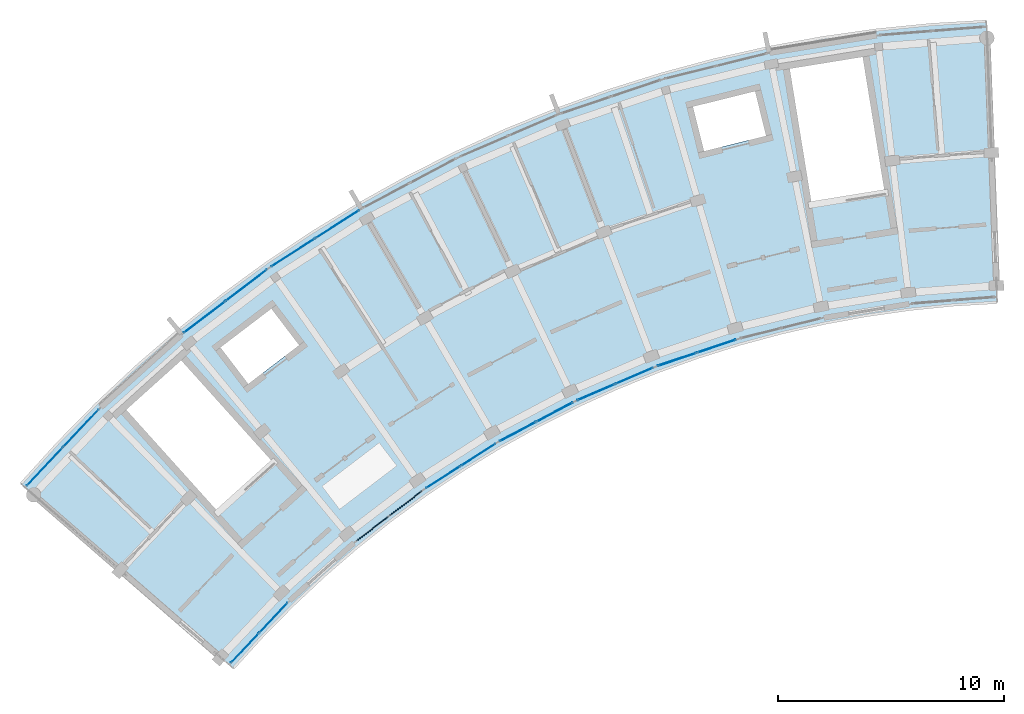
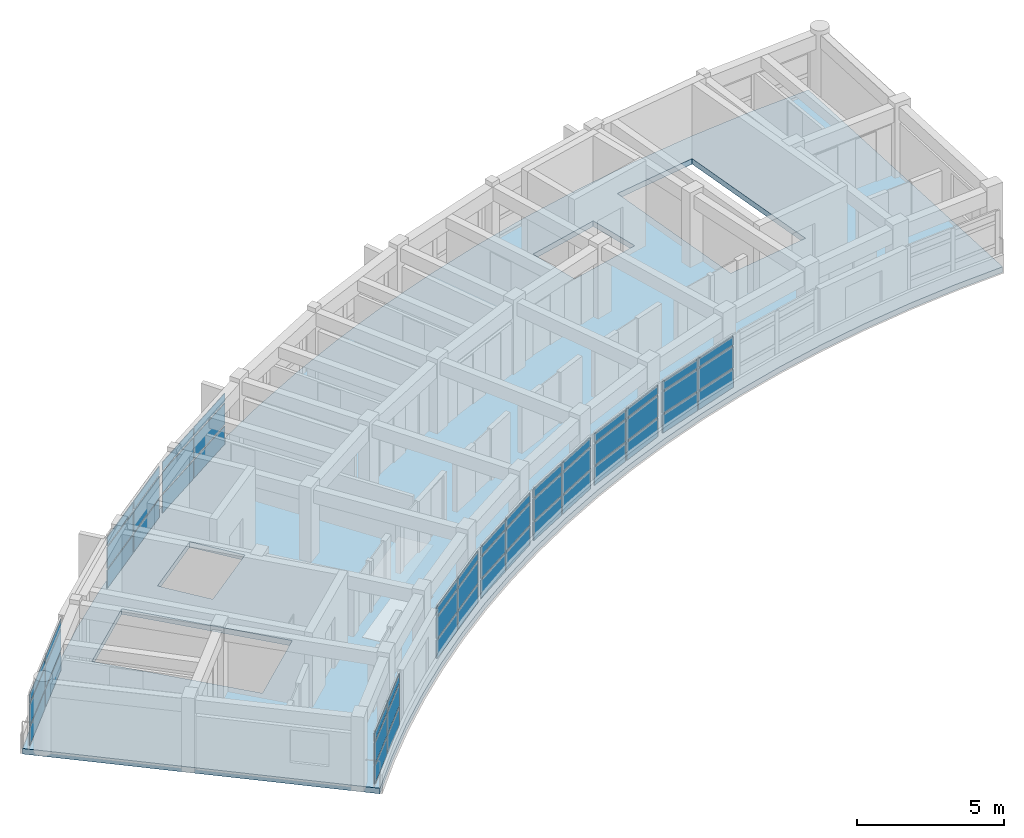
# One storey, part 6 of 11: 54 plates, 1 slab, 9 elements without a shape of their own.
"""IFC4 building model written with IfcOpenShell, lengths in metres."""

from ifc_helpers import new_model, si_unit, direction, frame, origin, origin_2d, place, context, subcontext, project, spatial, polyline, rectangle, outline, extrude, material, layer, layer_set, type_object, element, aggregate, save


model = new_model("IFC4")

# Units and contexts
model_context = context("Model", 3, precision=1e-05, world=origin(), true_north=direction((0.0, 1.0)))
body_context = subcontext(model_context, "Body", "Model", "MODEL_VIEW")
ifc_project = project(units=[si_unit("LENGTHUNIT", "METRE"), si_unit("AREAUNIT", "SQUARE_METRE"), si_unit("VOLUMEUNIT", "CUBIC_METRE"), si_unit("PLANEANGLEUNIT", "RADIAN"), si_unit("MASSUNIT", "GRAM", prefix="KILO")], contexts=[model_context])

# Site, building, storey
site_placement = place(None, origin())
site = spatial("IfcSite", under=ifc_project, at=site_placement, CompositionType="ELEMENT")
building_placement = place(site_placement, origin())
building = spatial("IfcBuilding", under=site, at=building_placement, Name="Zimvara Arc Housing Community", CompositionType="ELEMENT")
storey_placement = place(building_placement, frame((0.0, 0.0, 42.199951171875)))
storey = spatial("IfcBuildingStorey", under=building, at=storey_placement, Name="L13", CompositionType="ELEMENT", Elevation=42.199951171875)

# Curtain wall, plates
ifc_material_1 = material(Name="Anodised Aluminium AW-6063", Category="aluminium")
curtain_wall_type_1 = type_object("IfcCurtainWallType", Name="CW-SYS-04", PredefinedType="USERDEFINED", material=ifc_material_1)
curtain_wall_1_placement = place(storey_placement, origin())
curtain_wall_1 = element("IfcCurtainWall", 1, at=curtain_wall_1_placement, inside=storey, type_object=curtain_wall_type_1, Name="cw:blkA:L13:in:b2", ObjectType="CURTAIN WALL", PredefinedType="USERDEFINED")
ifc_material_2 = material(Name="Pale-Gold Anodised Aluminium Spandrel Panel", Category="aluminium")
ifc_layer_1 = layer(ifc_material_2, 0.035888671875)
ifc_layer_set_1 = layer_set([ifc_layer_1], Name="Pale-Gold Anodised Aluminium Spandrel Panel")
plate_type_1 = type_object("IfcPlateType", Name="CWP-GLD-36", PredefinedType="CURTAIN_PANEL", material=ifc_layer_set_1)
plate_1_placement = place(storey_placement, frame((15.5546875, 81.63134765625, 0.065185546875), z_axis=(0.0, 0.0, 1.0), x_axis=(0.795473930895, 0.605987809503, 0.0)))
plate_1 = element("IfcPlate", 2, at=plate_1_placement, type_object=plate_type_1, Name="CW04 panel 1.1", PredefinedType="CURTAIN_PANEL", context=body_context, shape_type="SweptSolid", body=[
    extrude(rectangle(XDim=1.778564453125, YDim=0.035888671875, at=origin_2d()), origin(), (0.0, 0.0, 1.0), 0.75244140625),
])
plate_2_placement = place(storey_placement, frame((15.5546875, 81.63134765625, 0.88232421875), z_axis=(0.0, 0.0, 1.0), x_axis=(0.795473930895, 0.605987809503, 0.0)))
plate_2 = element("IfcPlate", 3, at=plate_2_placement, type_object=plate_type_1, Name="CW04 panel 1.2", PredefinedType="CURTAIN_PANEL", context=body_context, shape_type="SweptSolid", body=[
    extrude(rectangle(XDim=1.778564453125, YDim=0.035888671875, at=origin_2d()), origin(), (0.0, 0.0, 1.0), 0.885009765625),
])
plate_3_placement = place(storey_placement, frame((15.5546875, 81.63134765625, 1.83251953125), z_axis=(0.0, 0.0, 1.0), x_axis=(0.795473930895, 0.605987809503, 0.0)))
plate_3 = element("IfcPlate", 4, at=plate_3_placement, type_object=plate_type_1, Name="CW04 panel 1.3", PredefinedType="CURTAIN_PANEL", context=body_context, shape_type="SweptSolid", body=[
    extrude(rectangle(XDim=1.778564453125, YDim=0.035888671875, at=origin_2d()), origin(), (0.0, 0.0, 1.0), 0.3525390625),
])
plate_4_placement = place(storey_placement, frame((17.021240234375, 82.74853515625, 0.065185546875), z_axis=(0.0, 0.0, 1.0), x_axis=(0.795473930895, 0.605987809503, 0.0)))
plate_4 = element("IfcPlate", 5, at=plate_4_placement, type_object=plate_type_1, Name="CW04 panel 2.1", PredefinedType="CURTAIN_PANEL", context=body_context, shape_type="SweptSolid", body=[
    extrude(rectangle(XDim=1.778564453125, YDim=0.035888671875, at=origin_2d()), origin(), (0.0, 0.0, 1.0), 0.75244140625),
])
plate_5_placement = place(storey_placement, frame((17.021240234375, 82.74853515625, 0.88232421875), z_axis=(0.0, 0.0, 1.0), x_axis=(0.795473930895, 0.605987809503, 0.0)))
plate_5 = element("IfcPlate", 6, at=plate_5_placement, type_object=plate_type_1, Name="CW04 panel 2.2", PredefinedType="CURTAIN_PANEL", context=body_context, shape_type="SweptSolid", body=[
    extrude(rectangle(XDim=1.778564453125, YDim=0.035888671875, at=origin_2d()), origin(), (0.0, 0.0, 1.0), 0.885009765625),
])
plate_6_placement = place(storey_placement, frame((17.021240234375, 82.74853515625, 1.83251953125), z_axis=(0.0, 0.0, 1.0), x_axis=(0.795473930895, 0.605987809503, 0.0)))
plate_6 = element("IfcPlate", 7, at=plate_6_placement, type_object=plate_type_1, Name="CW04 panel 2.3", PredefinedType="CURTAIN_PANEL", context=body_context, shape_type="SweptSolid", body=[
    extrude(rectangle(XDim=1.778564453125, YDim=0.035888671875, at=origin_2d()), origin(), (0.0, 0.0, 1.0), 0.3525390625),
])
aggregate(curtain_wall_1, [plate_1, plate_2, plate_3, plate_4, plate_5, plate_6])

ifc_material_3 = material(Name="Anodised Aluminium AW-6063", Category="aluminium")
curtain_wall_type_2 = type_object("IfcCurtainWallType", Name="CW-SYS-08", PredefinedType="USERDEFINED", material=ifc_material_3)
curtain_wall_2_placement = place(storey_placement, origin())
curtain_wall_2 = element("IfcCurtainWall", 8, at=curtain_wall_2_placement, inside=storey, type_object=curtain_wall_type_2, Name="cw:blkA:L13:in:b4", ObjectType="CURTAIN WALL", PredefinedType="USERDEFINED")
plate_7_placement = place(storey_placement, frame((21.985595703125, 85.92578125, 0.065185546875), z_axis=(0.0, 0.0, 1.0), x_axis=(0.883438518424, 0.468547099195, 0.0)))
plate_7 = element("IfcPlate", 9, at=plate_7_placement, type_object=plate_type_1, Name="CW08 panel 1.1", PredefinedType="CURTAIN_PANEL", context=body_context, shape_type="SweptSolid", body=[
    extrude(rectangle(XDim=1.778564453125, YDim=0.035888671875, at=origin_2d()), origin(), (0.0, 0.0, 1.0), 0.75244140625),
])
plate_8_placement = place(storey_placement, frame((21.985595703125, 85.92578125, 0.88232421875), z_axis=(0.0, 0.0, 1.0), x_axis=(0.883438518424, 0.468547099195, 0.0)))
plate_8 = element("IfcPlate", 10, at=plate_8_placement, type_object=plate_type_1, Name="CW08 panel 1.2", PredefinedType="CURTAIN_PANEL", context=body_context, shape_type="SweptSolid", body=[
    extrude(rectangle(XDim=1.778564453125, YDim=0.035888671875, at=origin_2d()), origin(), (0.0, 0.0, 1.0), 0.885009765625),
])
plate_9_placement = place(storey_placement, frame((21.985595703125, 85.92578125, 1.83251953125), z_axis=(0.0, 0.0, 1.0), x_axis=(0.883438518424, 0.468547099195, 0.0)))
plate_9 = element("IfcPlate", 11, at=plate_9_placement, type_object=plate_type_1, Name="CW08 panel 1.3", PredefinedType="CURTAIN_PANEL", context=body_context, shape_type="SweptSolid", body=[
    extrude(rectangle(XDim=1.778564453125, YDim=0.035888671875, at=origin_2d()), origin(), (0.0, 0.0, 1.0), 0.3525390625),
])
plate_10_placement = place(storey_placement, frame((23.614501953125, 86.78955078125, 0.065185546875), z_axis=(0.0, 0.0, 1.0), x_axis=(0.883438518424, 0.468547099195, 0.0)))
plate_10 = element("IfcPlate", 12, at=plate_10_placement, type_object=plate_type_1, Name="CW08 panel 2.1", PredefinedType="CURTAIN_PANEL", context=body_context, shape_type="SweptSolid", body=[
    extrude(rectangle(XDim=1.778564453125, YDim=0.035888671875, at=origin_2d()), origin(), (0.0, 0.0, 1.0), 0.75244140625),
])
plate_11_placement = place(storey_placement, frame((23.614501953125, 86.78955078125, 0.88232421875), z_axis=(0.0, 0.0, 1.0), x_axis=(0.883438518424, 0.468547099195, 0.0)))
plate_11 = element("IfcPlate", 13, at=plate_11_placement, type_object=plate_type_1, Name="CW08 panel 2.2", PredefinedType="CURTAIN_PANEL", context=body_context, shape_type="SweptSolid", body=[
    extrude(rectangle(XDim=1.778564453125, YDim=0.035888671875, at=origin_2d()), origin(), (0.0, 0.0, 1.0), 0.885009765625),
])
plate_12_placement = place(storey_placement, frame((23.614501953125, 86.78955078125, 1.83251953125), z_axis=(0.0, 0.0, 1.0), x_axis=(0.883438518424, 0.468547099195, 0.0)))
plate_12 = element("IfcPlate", 14, at=plate_12_placement, type_object=plate_type_1, Name="CW08 panel 2.3", PredefinedType="CURTAIN_PANEL", context=body_context, shape_type="SweptSolid", body=[
    extrude(rectangle(XDim=1.778564453125, YDim=0.035888671875, at=origin_2d()), origin(), (0.0, 0.0, 1.0), 0.3525390625),
])
aggregate(curtain_wall_2, [plate_7, plate_8, plate_9, plate_10, plate_11, plate_12])

curtain_wall_3_placement = place(storey_placement, origin())
curtain_wall_3 = element("IfcCurtainWall", 15, at=curtain_wall_3_placement, inside=storey, type_object=curtain_wall_type_1, Name="cw:blkA:L13:in:b6", ObjectType="CURTAIN WALL", PredefinedType="USERDEFINED")
plate_13_placement = place(storey_placement, frame((29.029541015625, 89.1171875, 0.065185546875), z_axis=(0.0, 0.0, 1.0), x_axis=(0.94788021002, 0.318626909491, 0.0)))
plate_13 = element("IfcPlate", 16, at=plate_13_placement, type_object=plate_type_1, Name="CW04 panel 1.1", PredefinedType="CURTAIN_PANEL", context=body_context, shape_type="SweptSolid", body=[
    extrude(rectangle(XDim=1.778564453125, YDim=0.035888671875, at=origin_2d()), origin(), (0.0, 0.0, 1.0), 0.75244140625),
])
plate_14_placement = place(storey_placement, frame((29.029541015625, 89.1171875, 0.88232421875), z_axis=(0.0, 0.0, 1.0), x_axis=(0.94788021002, 0.318626909491, 0.0)))
plate_14 = element("IfcPlate", 17, at=plate_14_placement, type_object=plate_type_1, Name="CW04 panel 1.2", PredefinedType="CURTAIN_PANEL", context=body_context, shape_type="SweptSolid", body=[
    extrude(rectangle(XDim=1.778564453125, YDim=0.035888671875, at=origin_2d()), origin(), (0.0, 0.0, 1.0), 0.885009765625),
])
plate_15_placement = place(storey_placement, frame((29.029541015625, 89.1171875, 1.83251953125), z_axis=(0.0, 0.0, 1.0), x_axis=(0.94788021002, 0.318626909491, 0.0)))
plate_15 = element("IfcPlate", 18, at=plate_15_placement, type_object=plate_type_1, Name="CW04 panel 1.3", PredefinedType="CURTAIN_PANEL", context=body_context, shape_type="SweptSolid", body=[
    extrude(rectangle(XDim=1.778564453125, YDim=0.035888671875, at=origin_2d()), origin(), (0.0, 0.0, 1.0), 0.3525390625),
])
plate_16_placement = place(storey_placement, frame((30.777099609375, 89.70458984375, 0.065185546875), z_axis=(0.0, 0.0, 1.0), x_axis=(0.94788021002, 0.318626909491, 0.0)))
plate_16 = element("IfcPlate", 19, at=plate_16_placement, type_object=plate_type_1, Name="CW04 panel 2.1", PredefinedType="CURTAIN_PANEL", context=body_context, shape_type="SweptSolid", body=[
    extrude(rectangle(XDim=1.778564453125, YDim=0.035888671875, at=origin_2d()), origin(), (0.0, 0.0, 1.0), 0.75244140625),
])
plate_17_placement = place(storey_placement, frame((30.777099609375, 89.70458984375, 0.88232421875), z_axis=(0.0, 0.0, 1.0), x_axis=(0.94788021002, 0.318626909491, 0.0)))
plate_17 = element("IfcPlate", 20, at=plate_17_placement, type_object=plate_type_1, Name="CW04 panel 2.2", PredefinedType="CURTAIN_PANEL", context=body_context, shape_type="SweptSolid", body=[
    extrude(rectangle(XDim=1.778564453125, YDim=0.035888671875, at=origin_2d()), origin(), (0.0, 0.0, 1.0), 0.885009765625),
])
plate_18_placement = place(storey_placement, frame((30.777099609375, 89.70458984375, 1.83251953125), z_axis=(0.0, 0.0, 1.0), x_axis=(0.94788021002, 0.318626909491, 0.0)))
plate_18 = element("IfcPlate", 21, at=plate_18_placement, type_object=plate_type_1, Name="CW04 panel 2.3", PredefinedType="CURTAIN_PANEL", context=body_context, shape_type="SweptSolid", body=[
    extrude(rectangle(XDim=1.778564453125, YDim=0.035888671875, at=origin_2d()), origin(), (0.0, 0.0, 1.0), 0.3525390625),
])
aggregate(curtain_wall_3, [plate_13, plate_14, plate_15, plate_16, plate_17, plate_18])

ifc_material_4 = material(Name="Anodised Aluminium AW-6063", Category="aluminium")
curtain_wall_type_3 = type_object("IfcCurtainWallType", Name="CW-SYS-01", PredefinedType="USERDEFINED", material=ifc_material_4)
curtain_wall_4_placement = place(storey_placement, origin())
curtain_wall_4 = element("IfcCurtainWall", 22, at=curtain_wall_4_placement, inside=storey, type_object=curtain_wall_type_3, Name="cw:blkA:L13:out:b0", ObjectType="CURTAIN WALL", PredefinedType="USERDEFINED")
ifc_material_5 = material(Name="Solar Control Low-E Double Glazing", Category="glass")
ifc_layer_2 = layer(ifc_material_5, 0.02392578125)
ifc_layer_set_2 = layer_set([ifc_layer_2], Name="Solar Control Low-E Double Glazing")
plate_type_2 = type_object("IfcPlateType", Name="CWP-GLZ-24", PredefinedType="CURTAIN_PANEL", material=ifc_layer_set_2)
plate_19_placement = place(storey_placement, frame((1.049072265625, 84.3720703125, 0.065185546875), z_axis=(0.0, 0.0, 1.0), x_axis=(0.686326416495, 0.727293647725, 0.0)))
plate_19 = element("IfcPlate", 23, at=plate_19_placement, type_object=plate_type_2, Name="CW01 panel 1.1", PredefinedType="CURTAIN_PANEL", context=body_context, shape_type="SweptSolid", body=[
    extrude(rectangle(XDim=2.266845703125, YDim=0.02392578125, at=origin_2d()), origin(), (0.0, 0.0, 1.0), 0.75244140625),
])
plate_20_placement = place(storey_placement, frame((1.049072265625, 84.3720703125, 0.88232421875), z_axis=(0.0, 0.0, 1.0), x_axis=(0.686326416495, 0.727293647725, 0.0)))
plate_20 = element("IfcPlate", 24, at=plate_20_placement, type_object=plate_type_2, Name="CW01 panel 1.2", PredefinedType="CURTAIN_PANEL", context=body_context, shape_type="SweptSolid", body=[
    extrude(rectangle(XDim=2.266845703125, YDim=0.02392578125, at=origin_2d()), origin(), (0.0, 0.0, 1.0), 0.885009765625),
])
plate_21_placement = place(storey_placement, frame((1.049072265625, 84.3720703125, 1.83251953125), z_axis=(0.0, 0.0, 1.0), x_axis=(0.686326416495, 0.727293647725, 0.0)))
plate_21 = element("IfcPlate", 25, at=plate_21_placement, type_object=plate_type_2, Name="CW01 panel 1.3", PredefinedType="CURTAIN_PANEL", context=body_context, shape_type="SweptSolid", body=[
    extrude(rectangle(XDim=2.266845703125, YDim=0.02392578125, at=origin_2d()), origin(), (0.0, 0.0, 1.0), 0.3525390625),
])
plate_22_placement = place(storey_placement, frame((2.649658203125, 86.068115234375, 0.065185546875), z_axis=(0.0, 0.0, 1.0), x_axis=(0.686326416495, 0.727293647725, 0.0)))
plate_22 = element("IfcPlate", 26, at=plate_22_placement, type_object=plate_type_2, Name="CW01 panel 2.1", PredefinedType="CURTAIN_PANEL", context=body_context, shape_type="SweptSolid", body=[
    extrude(rectangle(XDim=2.266845703125, YDim=0.02392578125, at=origin_2d()), origin(), (0.0, 0.0, 1.0), 0.75244140625),
])
plate_23_placement = place(storey_placement, frame((2.649658203125, 86.068115234375, 0.88232421875), z_axis=(0.0, 0.0, 1.0), x_axis=(0.686326416495, 0.727293647725, 0.0)))
plate_23 = element("IfcPlate", 27, at=plate_23_placement, type_object=plate_type_2, Name="CW01 panel 2.2", PredefinedType="CURTAIN_PANEL", context=body_context, shape_type="SweptSolid", body=[
    extrude(rectangle(XDim=2.266845703125, YDim=0.02392578125, at=origin_2d()), origin(), (0.0, 0.0, 1.0), 0.885009765625),
])
plate_24_placement = place(storey_placement, frame((2.649658203125, 86.068115234375, 1.83251953125), z_axis=(0.0, 0.0, 1.0), x_axis=(0.686326416495, 0.727293647725, 0.0)))
plate_24 = element("IfcPlate", 28, at=plate_24_placement, type_object=plate_type_2, Name="CW01 panel 2.3", PredefinedType="CURTAIN_PANEL", context=body_context, shape_type="SweptSolid", body=[
    extrude(rectangle(XDim=2.266845703125, YDim=0.02392578125, at=origin_2d()), origin(), (0.0, 0.0, 1.0), 0.3525390625),
])
aggregate(curtain_wall_4, [plate_19, plate_20, plate_21, plate_22, plate_23, plate_24])

ifc_material_6 = material(Name="Anodised Aluminium AW-6063", Category="aluminium")
curtain_wall_type_4 = type_object("IfcCurtainWallType", Name="CW-SYS-05", PredefinedType="USERDEFINED", material=ifc_material_6)
curtain_wall_5_placement = place(storey_placement, origin())
curtain_wall_5 = element("IfcCurtainWall", 29, at=curtain_wall_5_placement, inside=storey, type_object=curtain_wall_type_4, Name="cw:blkA:L13:out:b3", ObjectType="CURTAIN WALL", PredefinedType="USERDEFINED")
plate_25_placement = place(storey_placement, frame((12.034912109375, 93.843505859375, 0.065185546875), z_axis=(0.0, 0.0, 1.0), x_axis=(0.842264410931, 0.539064617721, 0.0)))
plate_25 = element("IfcPlate", 30, at=plate_25_placement, type_object=plate_type_2, Name="CW05 panel 1.1", PredefinedType="CURTAIN_PANEL", context=body_context, shape_type="SweptSolid", body=[
    extrude(rectangle(XDim=2.266845703125, YDim=0.02392578125, at=origin_2d()), origin(), (0.0, 0.0, 1.0), 0.75244140625),
])
plate_26_placement = place(storey_placement, frame((12.034912109375, 93.843505859375, 0.88232421875), z_axis=(0.0, 0.0, 1.0), x_axis=(0.842264410931, 0.539064617721, 0.0)))
plate_26 = element("IfcPlate", 31, at=plate_26_placement, type_object=plate_type_2, Name="CW05 panel 1.2", PredefinedType="CURTAIN_PANEL", context=body_context, shape_type="SweptSolid", body=[
    extrude(rectangle(XDim=2.266845703125, YDim=0.02392578125, at=origin_2d()), origin(), (0.0, 0.0, 1.0), 0.885009765625),
])
plate_27_placement = place(storey_placement, frame((12.034912109375, 93.843505859375, 1.83251953125), z_axis=(0.0, 0.0, 1.0), x_axis=(0.842264410931, 0.539064617721, 0.0)))
plate_27 = element("IfcPlate", 32, at=plate_27_placement, type_object=plate_type_2, Name="CW05 panel 1.3", PredefinedType="CURTAIN_PANEL", context=body_context, shape_type="SweptSolid", body=[
    extrude(rectangle(XDim=2.266845703125, YDim=0.02392578125, at=origin_2d()), origin(), (0.0, 0.0, 1.0), 0.3525390625),
])
plate_28_placement = place(storey_placement, frame((13.9990234375, 95.1005859375, 0.065185546875), z_axis=(0.0, 0.0, 1.0), x_axis=(0.842264410931, 0.539064617721, 0.0)))
plate_28 = element("IfcPlate", 33, at=plate_28_placement, type_object=plate_type_2, Name="CW05 panel 2.1", PredefinedType="CURTAIN_PANEL", context=body_context, shape_type="SweptSolid", body=[
    extrude(rectangle(XDim=2.266845703125, YDim=0.02392578125, at=origin_2d()), origin(), (0.0, 0.0, 1.0), 0.75244140625),
])
plate_29_placement = place(storey_placement, frame((13.9990234375, 95.1005859375, 0.88232421875), z_axis=(0.0, 0.0, 1.0), x_axis=(0.842264410931, 0.539064617721, 0.0)))
plate_29 = element("IfcPlate", 34, at=plate_29_placement, type_object=plate_type_2, Name="CW05 panel 2.2", PredefinedType="CURTAIN_PANEL", context=body_context, shape_type="SweptSolid", body=[
    extrude(rectangle(XDim=2.266845703125, YDim=0.02392578125, at=origin_2d()), origin(), (0.0, 0.0, 1.0), 0.885009765625),
])
plate_30_placement = place(storey_placement, frame((13.9990234375, 95.1005859375, 1.83251953125), z_axis=(0.0, 0.0, 1.0), x_axis=(0.842264410931, 0.539064617721, 0.0)))
plate_30 = element("IfcPlate", 35, at=plate_30_placement, type_object=plate_type_2, Name="CW05 panel 2.3", PredefinedType="CURTAIN_PANEL", context=body_context, shape_type="SweptSolid", body=[
    extrude(rectangle(XDim=2.266845703125, YDim=0.02392578125, at=origin_2d()), origin(), (0.0, 0.0, 1.0), 0.3525390625),
])
aggregate(curtain_wall_5, [plate_25, plate_26, plate_27, plate_28, plate_29, plate_30])

ifc_material_7 = material(Name="Anodised Aluminium AW-6063", Category="aluminium")
curtain_wall_type_5 = type_object("IfcCurtainWallType", Name="CW-SYS-02", PredefinedType="USERDEFINED", material=ifc_material_7)
curtain_wall_6_placement = place(storey_placement, origin())
curtain_wall_6 = element("IfcCurtainWall", 36, at=curtain_wall_6_placement, inside=storey, type_object=curtain_wall_type_5, Name="cw:blkA:L13:in:b0", ObjectType="CURTAIN WALL", PredefinedType="USERDEFINED")
ifc_material_8 = material(Name="Solar Control Low-E Double Glazing", Category="glass")
ifc_layer_3 = layer(ifc_material_8, 0.028076171875)
ifc_layer_set_3 = layer_set([ifc_layer_3], Name="Solar Control Low-E Double Glazing")
plate_type_3 = type_object("IfcPlateType", Name="CWP-GLZ-28", PredefinedType="CURTAIN_PANEL", material=ifc_layer_set_3)
plate_31_placement = place(storey_placement, frame((9.90771484375, 76.34814453125, 0.065185546875), z_axis=(0.0, 0.0, 1.0), x_axis=(0.686326336018, 0.727293723669, 0.0)))
plate_31 = element("IfcPlate", 37, at=plate_31_placement, type_object=plate_type_3, Name="CW02 panel 1.1", PredefinedType="CURTAIN_PANEL", context=body_context, shape_type="SweptSolid", body=[
    extrude(rectangle(XDim=1.778564453125, YDim=0.028076171875, at=origin_2d()), origin(), (0.0, 0.0, 1.0), 0.75244140625),
])
plate_32_placement = place(storey_placement, frame((9.90771484375, 76.34814453125, 0.88232421875), z_axis=(0.0, 0.0, 1.0), x_axis=(0.686326336018, 0.727293723669, 0.0)))
plate_32 = element("IfcPlate", 38, at=plate_32_placement, type_object=plate_type_3, Name="CW02 panel 1.2", PredefinedType="CURTAIN_PANEL", context=body_context, shape_type="SweptSolid", body=[
    extrude(rectangle(XDim=1.778564453125, YDim=0.028076171875, at=origin_2d()), origin(), (0.0, 0.0, 1.0), 0.885009765625),
])
plate_33_placement = place(storey_placement, frame((9.90771484375, 76.34814453125, 1.83251953125), z_axis=(0.0, 0.0, 1.0), x_axis=(0.686326336018, 0.727293723669, 0.0)))
plate_33 = element("IfcPlate", 39, at=plate_33_placement, type_object=plate_type_3, Name="CW02 panel 1.3", PredefinedType="CURTAIN_PANEL", context=body_context, shape_type="SweptSolid", body=[
    extrude(rectangle(XDim=1.778564453125, YDim=0.028076171875, at=origin_2d()), origin(), (0.0, 0.0, 1.0), 0.3525390625),
])
plate_34_placement = place(storey_placement, frame((11.173095703125, 77.68896484375, 0.065185546875), z_axis=(0.0, 0.0, 1.0), x_axis=(0.686326336018, 0.727293723669, 0.0)))
plate_34 = element("IfcPlate", 40, at=plate_34_placement, type_object=plate_type_3, Name="CW02 panel 2.1", PredefinedType="CURTAIN_PANEL", context=body_context, shape_type="SweptSolid", body=[
    extrude(rectangle(XDim=1.778564453125, YDim=0.028076171875, at=origin_2d()), origin(), (0.0, 0.0, 1.0), 0.75244140625),
])
plate_35_placement = place(storey_placement, frame((11.173095703125, 77.68896484375, 0.88232421875), z_axis=(0.0, 0.0, 1.0), x_axis=(0.686326336018, 0.727293723669, 0.0)))
plate_35 = element("IfcPlate", 41, at=plate_35_placement, type_object=plate_type_3, Name="CW02 panel 2.2", PredefinedType="CURTAIN_PANEL", context=body_context, shape_type="SweptSolid", body=[
    extrude(rectangle(XDim=1.778564453125, YDim=0.028076171875, at=origin_2d()), origin(), (0.0, 0.0, 1.0), 0.885009765625),
])
plate_36_placement = place(storey_placement, frame((11.173095703125, 77.68896484375, 1.83251953125), z_axis=(0.0, 0.0, 1.0), x_axis=(0.686326336018, 0.727293723669, 0.0)))
plate_36 = element("IfcPlate", 42, at=plate_36_placement, type_object=plate_type_3, Name="CW02 panel 2.3", PredefinedType="CURTAIN_PANEL", context=body_context, shape_type="SweptSolid", body=[
    extrude(rectangle(XDim=1.778564453125, YDim=0.028076171875, at=origin_2d()), origin(), (0.0, 0.0, 1.0), 0.3525390625),
])
aggregate(curtain_wall_6, [plate_31, plate_32, plate_33, plate_34, plate_35, plate_36])

ifc_material_9 = material(Name="Anodised Aluminium AW-6063", Category="aluminium")
curtain_wall_type_6 = type_object("IfcCurtainWallType", Name="CW-SYS-06", PredefinedType="USERDEFINED", material=ifc_material_9)
curtain_wall_7_placement = place(storey_placement, origin())
curtain_wall_7 = element("IfcCurtainWall", 43, at=curtain_wall_7_placement, inside=storey, type_object=curtain_wall_type_6, Name="cw:blkA:L13:in:b3", ObjectType="CURTAIN WALL", PredefinedType="USERDEFINED")
plate_37_placement = place(storey_placement, frame((18.682373046875, 83.909912109375, 0.065185546875), z_axis=(0.0, 0.0, 1.0), x_axis=(0.842264092079, 0.539065115913, 0.0)))
plate_37 = element("IfcPlate", 44, at=plate_37_placement, type_object=plate_type_3, Name="CW06 panel 1.1", PredefinedType="CURTAIN_PANEL", context=body_context, shape_type="SweptSolid", body=[
    extrude(rectangle(XDim=1.778564453125, YDim=0.028076171875, at=origin_2d()), origin(), (0.0, 0.0, 1.0), 0.75244140625),
])
plate_38_placement = place(storey_placement, frame((18.682373046875, 83.909912109375, 0.88232421875), z_axis=(0.0, 0.0, 1.0), x_axis=(0.842264092079, 0.539065115913, 0.0)))
plate_38 = element("IfcPlate", 45, at=plate_38_placement, type_object=plate_type_3, Name="CW06 panel 1.2", PredefinedType="CURTAIN_PANEL", context=body_context, shape_type="SweptSolid", body=[
    extrude(rectangle(XDim=1.778564453125, YDim=0.028076171875, at=origin_2d()), origin(), (0.0, 0.0, 1.0), 0.885009765625),
])
plate_39_placement = place(storey_placement, frame((18.682373046875, 83.909912109375, 1.83251953125), z_axis=(0.0, 0.0, 1.0), x_axis=(0.842264092079, 0.539065115913, 0.0)))
plate_39 = element("IfcPlate", 46, at=plate_39_placement, type_object=plate_type_3, Name="CW06 panel 1.3", PredefinedType="CURTAIN_PANEL", context=body_context, shape_type="SweptSolid", body=[
    extrude(rectangle(XDim=1.778564453125, YDim=0.028076171875, at=origin_2d()), origin(), (0.0, 0.0, 1.0), 0.3525390625),
])
plate_40_placement = place(storey_placement, frame((20.2353515625, 84.90380859375, 0.065185546875), z_axis=(0.0, 0.0, 1.0), x_axis=(0.842264092079, 0.539065115913, 0.0)))
plate_40 = element("IfcPlate", 47, at=plate_40_placement, type_object=plate_type_3, Name="CW06 panel 2.1", PredefinedType="CURTAIN_PANEL", context=body_context, shape_type="SweptSolid", body=[
    extrude(rectangle(XDim=1.778564453125, YDim=0.028076171875, at=origin_2d()), origin(), (0.0, 0.0, 1.0), 0.75244140625),
])
plate_41_placement = place(storey_placement, frame((20.2353515625, 84.90380859375, 0.88232421875), z_axis=(0.0, 0.0, 1.0), x_axis=(0.842264092079, 0.539065115913, 0.0)))
plate_41 = element("IfcPlate", 48, at=plate_41_placement, type_object=plate_type_3, Name="CW06 panel 2.2", PredefinedType="CURTAIN_PANEL", context=body_context, shape_type="SweptSolid", body=[
    extrude(rectangle(XDim=1.778564453125, YDim=0.028076171875, at=origin_2d()), origin(), (0.0, 0.0, 1.0), 0.885009765625),
])
plate_42_placement = place(storey_placement, frame((20.2353515625, 84.90380859375, 1.83251953125), z_axis=(0.0, 0.0, 1.0), x_axis=(0.842264092079, 0.539065115913, 0.0)))
plate_42 = element("IfcPlate", 49, at=plate_42_placement, type_object=plate_type_3, Name="CW06 panel 2.3", PredefinedType="CURTAIN_PANEL", context=body_context, shape_type="SweptSolid", body=[
    extrude(rectangle(XDim=1.778564453125, YDim=0.028076171875, at=origin_2d()), origin(), (0.0, 0.0, 1.0), 0.3525390625),
])
aggregate(curtain_wall_7, [plate_37, plate_38, plate_39, plate_40, plate_41, plate_42])

curtain_wall_8_placement = place(storey_placement, origin())
curtain_wall_8 = element("IfcCurtainWall", 50, at=curtain_wall_8_placement, inside=storey, type_object=curtain_wall_type_5, Name="cw:blkA:L13:in:b5", ObjectType="CURTAIN WALL", PredefinedType="USERDEFINED")
plate_43_placement = place(storey_placement, frame((25.4423828125, 87.66552734375, 0.065185546875), z_axis=(0.0, 0.0, 1.0), x_axis=(0.918722411261, 0.394903951674, 0.0)))
plate_43 = element("IfcPlate", 51, at=plate_43_placement, type_object=plate_type_3, Name="CW02 panel 1.1", PredefinedType="CURTAIN_PANEL", context=body_context, shape_type="SweptSolid", body=[
    extrude(rectangle(XDim=1.778564453125, YDim=0.028076171875, at=origin_2d()), origin(), (0.0, 0.0, 1.0), 0.75244140625),
])
plate_44_placement = place(storey_placement, frame((25.4423828125, 87.66552734375, 0.88232421875), z_axis=(0.0, 0.0, 1.0), x_axis=(0.918722411261, 0.394903951674, 0.0)))
plate_44 = element("IfcPlate", 52, at=plate_44_placement, type_object=plate_type_3, Name="CW02 panel 1.2", PredefinedType="CURTAIN_PANEL", context=body_context, shape_type="SweptSolid", body=[
    extrude(rectangle(XDim=1.778564453125, YDim=0.028076171875, at=origin_2d()), origin(), (0.0, 0.0, 1.0), 0.885009765625),
])
plate_45_placement = place(storey_placement, frame((25.4423828125, 87.66552734375, 1.83251953125), z_axis=(0.0, 0.0, 1.0), x_axis=(0.918722411261, 0.394903951674, 0.0)))
plate_45 = element("IfcPlate", 53, at=plate_45_placement, type_object=plate_type_3, Name="CW02 panel 1.3", PredefinedType="CURTAIN_PANEL", context=body_context, shape_type="SweptSolid", body=[
    extrude(rectangle(XDim=1.778564453125, YDim=0.028076171875, at=origin_2d()), origin(), (0.0, 0.0, 1.0), 0.3525390625),
])
plate_46_placement = place(storey_placement, frame((27.13623046875, 88.3935546875, 0.065185546875), z_axis=(0.0, 0.0, 1.0), x_axis=(0.918722411261, 0.394903951674, 0.0)))
plate_46 = element("IfcPlate", 54, at=plate_46_placement, type_object=plate_type_3, Name="CW02 panel 2.1", PredefinedType="CURTAIN_PANEL", context=body_context, shape_type="SweptSolid", body=[
    extrude(rectangle(XDim=1.778564453125, YDim=0.028076171875, at=origin_2d()), origin(), (0.0, 0.0, 1.0), 0.75244140625),
])
plate_47_placement = place(storey_placement, frame((27.13623046875, 88.3935546875, 0.88232421875), z_axis=(0.0, 0.0, 1.0), x_axis=(0.918722411261, 0.394903951674, 0.0)))
plate_47 = element("IfcPlate", 55, at=plate_47_placement, type_object=plate_type_3, Name="CW02 panel 2.2", PredefinedType="CURTAIN_PANEL", context=body_context, shape_type="SweptSolid", body=[
    extrude(rectangle(XDim=1.778564453125, YDim=0.028076171875, at=origin_2d()), origin(), (0.0, 0.0, 1.0), 0.885009765625),
])
plate_48_placement = place(storey_placement, frame((27.13623046875, 88.3935546875, 1.83251953125), z_axis=(0.0, 0.0, 1.0), x_axis=(0.918722411261, 0.394903951674, 0.0)))
plate_48 = element("IfcPlate", 56, at=plate_48_placement, type_object=plate_type_3, Name="CW02 panel 2.3", PredefinedType="CURTAIN_PANEL", context=body_context, shape_type="SweptSolid", body=[
    extrude(rectangle(XDim=1.778564453125, YDim=0.028076171875, at=origin_2d()), origin(), (0.0, 0.0, 1.0), 0.3525390625),
])
aggregate(curtain_wall_8, [plate_43, plate_44, plate_45, plate_46, plate_47, plate_48])

ifc_material_10 = material(Name="Anodised Aluminium AW-6063", Category="aluminium")
curtain_wall_type_7 = type_object("IfcCurtainWallType", Name="CW-SYS-03", PredefinedType="USERDEFINED", material=ifc_material_10)
curtain_wall_9_placement = place(storey_placement, origin())
curtain_wall_9 = element("IfcCurtainWall", 57, at=curtain_wall_9_placement, inside=storey, type_object=curtain_wall_type_7, Name="cw:blkA:L13:out:b2", ObjectType="CURTAIN WALL", PredefinedType="USERDEFINED")
ifc_material_11 = material(Name="Acoustic Laminated Solar Glazing", Category="glass")
ifc_layer_4 = layer(ifc_material_11, 0.031982421875)
ifc_layer_set_4 = layer_set([ifc_layer_4], Name="Acoustic Laminated Solar Glazing")
plate_type_4 = type_object("IfcPlateType", Name="CWP-GLZ-32", PredefinedType="CURTAIN_PANEL", material=ifc_layer_set_4)
plate_49_placement = place(storey_placement, frame((8.118896484375, 90.9892578125, 0.065185546875), z_axis=(0.0, 0.0, 1.0), x_axis=(0.795473999177, 0.60598771987, 0.0)))
plate_49 = element("IfcPlate", 58, at=plate_49_placement, type_object=plate_type_4, Name="CW03 panel 1.1", PredefinedType="CURTAIN_PANEL", context=body_context, shape_type="SweptSolid", body=[
    extrude(rectangle(XDim=2.266845703125, YDim=0.031982421875, at=origin_2d()), origin(), (0.0, 0.0, 1.0), 0.75244140625),
])
plate_50_placement = place(storey_placement, frame((8.118896484375, 90.9892578125, 0.88232421875), z_axis=(0.0, 0.0, 1.0), x_axis=(0.795473999177, 0.60598771987, 0.0)))
plate_50 = element("IfcPlate", 59, at=plate_50_placement, type_object=plate_type_4, Name="CW03 panel 1.2", PredefinedType="CURTAIN_PANEL", context=body_context, shape_type="SweptSolid", body=[
    extrude(rectangle(XDim=2.266845703125, YDim=0.031982421875, at=origin_2d()), origin(), (0.0, 0.0, 1.0), 0.885009765625),
])
plate_51_placement = place(storey_placement, frame((8.118896484375, 90.9892578125, 1.83251953125), z_axis=(0.0, 0.0, 1.0), x_axis=(0.795473999177, 0.60598771987, 0.0)))
plate_51 = element("IfcPlate", 60, at=plate_51_placement, type_object=plate_type_4, Name="CW03 panel 1.3", PredefinedType="CURTAIN_PANEL", context=body_context, shape_type="SweptSolid", body=[
    extrude(rectangle(XDim=2.266845703125, YDim=0.031982421875, at=origin_2d()), origin(), (0.0, 0.0, 1.0), 0.3525390625),
])
plate_52_placement = place(storey_placement, frame((9.973876953125, 92.40234375, 0.065185546875), z_axis=(0.0, 0.0, 1.0), x_axis=(0.795473999177, 0.60598771987, 0.0)))
plate_52 = element("IfcPlate", 61, at=plate_52_placement, type_object=plate_type_4, Name="CW03 panel 2.1", PredefinedType="CURTAIN_PANEL", context=body_context, shape_type="SweptSolid", body=[
    extrude(rectangle(XDim=2.266845703125, YDim=0.031982421875, at=origin_2d()), origin(), (0.0, 0.0, 1.0), 0.75244140625),
])
plate_53_placement = place(storey_placement, frame((9.973876953125, 92.40234375, 0.88232421875), z_axis=(0.0, 0.0, 1.0), x_axis=(0.795473999177, 0.60598771987, 0.0)))
plate_53 = element("IfcPlate", 62, at=plate_53_placement, type_object=plate_type_4, Name="CW03 panel 2.2", PredefinedType="CURTAIN_PANEL", context=body_context, shape_type="SweptSolid", body=[
    extrude(rectangle(XDim=2.266845703125, YDim=0.031982421875, at=origin_2d()), origin(), (0.0, 0.0, 1.0), 0.885009765625),
])
plate_54_placement = place(storey_placement, frame((9.973876953125, 92.40234375, 1.83251953125), z_axis=(0.0, 0.0, 1.0), x_axis=(0.795473999177, 0.60598771987, 0.0)))
plate_54 = element("IfcPlate", 63, at=plate_54_placement, type_object=plate_type_4, Name="CW03 panel 2.3", PredefinedType="CURTAIN_PANEL", context=body_context, shape_type="SweptSolid", body=[
    extrude(rectangle(XDim=2.266845703125, YDim=0.031982421875, at=origin_2d()), origin(), (0.0, 0.0, 1.0), 0.3525390625),
])
aggregate(curtain_wall_9, [plate_49, plate_50, plate_51, plate_52, plate_53, plate_54])

# Slab
ifc_material_12 = material(Name="Concrete C35/45", Category="concrete")
ifc_layer_5 = layer(ifc_material_12, 0.22998046875)
ifc_layer_set_5 = layer_set([ifc_layer_5], Name="Concrete C35/45")
slab_type = type_object("IfcSlabType", Name="SLB-TYP-230", PredefinedType="FLOOR", material=ifc_layer_set_5)
slab_placement = place(storey_placement, frame((0.0, 0.0, -0.22998046875)))
element("IfcSlab", 64, at=slab_placement, inside=storey, type_object=slab_type, Name="slab:blkA:L13:main", PredefinedType="FLOOR", context=body_context, shape_type="SweptSolid", body=[
    extrude(outline(polyline([(9.377685546875, 75.466064453125), (10.671630859375, 76.89453125), (12.02294921875, 78.269287109375), (13.42919921875, 79.58740234375), (14.88818359375, 80.84716796875), (16.3974609375, 82.04638671875), (17.9541015625, 83.182861328125), (19.55615234375, 84.2548828125), (21.200439453125, 85.260498046875), (22.884521484375, 86.1982421875), (24.60546875, 87.06640625), (26.360595703125, 87.86376953125), (28.146484375, 88.588623046875), (29.960693359375, 89.239990234375), (31.800048828125, 89.816650390625), (33.6611328125, 90.31787109375), (35.54150390625, 90.74267578125), (37.437255859375, 91.090087890625), (39.345947265625, 91.360107421875), (41.263916015625, 91.552001953125), (43.18798828125, 91.665283203125), (42.712158203125, 104.05615234375), (40.282470703125, 103.9130859375), (37.860595703125, 103.6708984375), (35.450439453125, 103.330078125), (33.056640625, 102.89111328125), (30.682373046875, 102.354736328125), (28.332275390625, 101.721923828125), (26.009765625, 100.99365234375), (23.718994140625, 100.171142578125), (21.463623046875, 99.255859375), (19.247802734375, 98.249267578125), (17.07470703125, 97.15283203125), (14.947998046875, 95.96875), (12.871826171875, 94.698974609375), (10.848876953125, 93.34521484375), (8.883056640625, 91.91015625), (6.9775390625, 90.39599609375), (5.13525390625, 88.805419921875), (3.359619140625, 87.140869140625), (1.6533203125, 85.405029296875), (0.019287109375, 83.60107421875), (9.377685546875, 75.466064453125)]), holes=[polyline([(8.73193359375, 82.356201171875), (4.65185546875, 86.890625), (7.090087890625, 89.08447265625), (11.17041015625, 84.550048828125), (8.73193359375, 82.356201171875)]), polyline([(34.9853515625, 95.960205078125), (34.008056640625, 101.9814453125), (37.24560546875, 102.507080078125), (38.222900390625, 96.48583984375), (34.9853515625, 95.960205078125)]), polyline([(10.05615234375, 88.02685546875), (8.820068359375, 89.649658203125), (11.0791015625, 91.37060546875), (12.3154296875, 89.747802734375), (10.05615234375, 88.02685546875)]), polyline([(30.216796875, 98.324951171875), (29.726806640625, 100.30517578125), (32.483642578125, 100.9873046875), (32.9736328125, 99.007080078125), (30.216796875, 98.324951171875)])]), origin(), (0.0, 0.0, 1.0), 0.22998046875),
])

save(model, "model.ifc")
